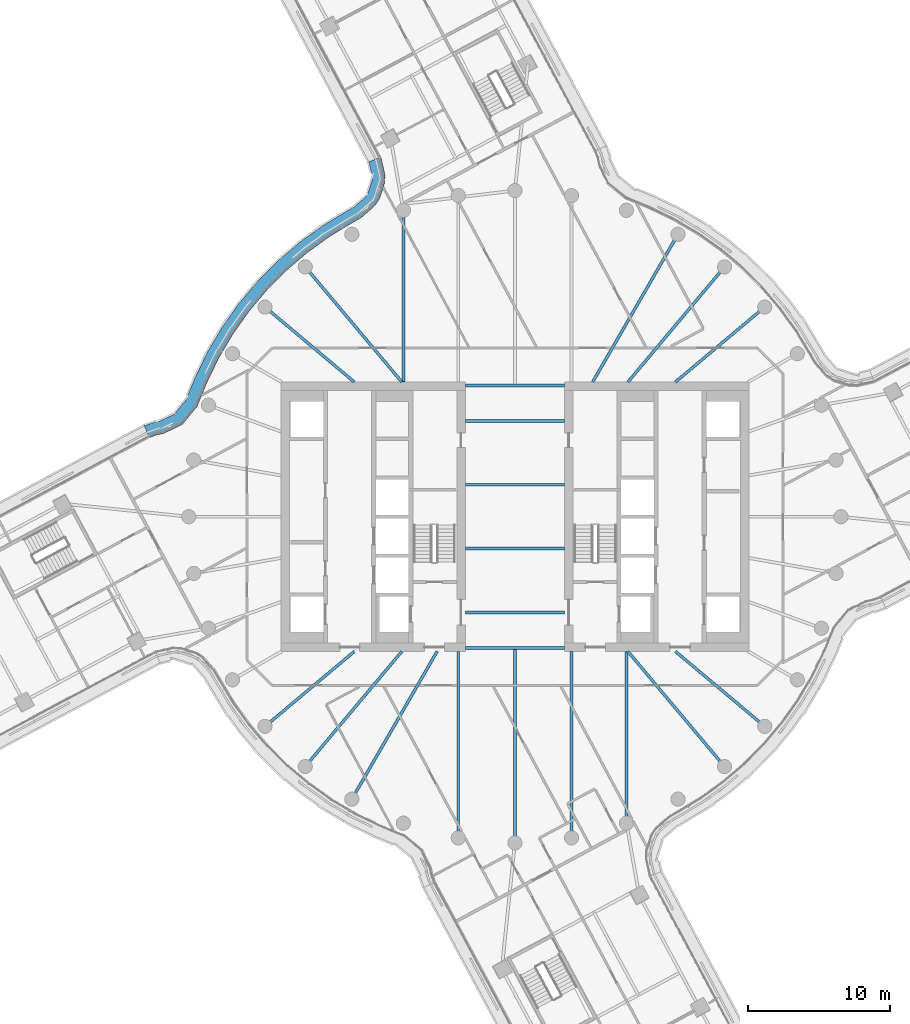
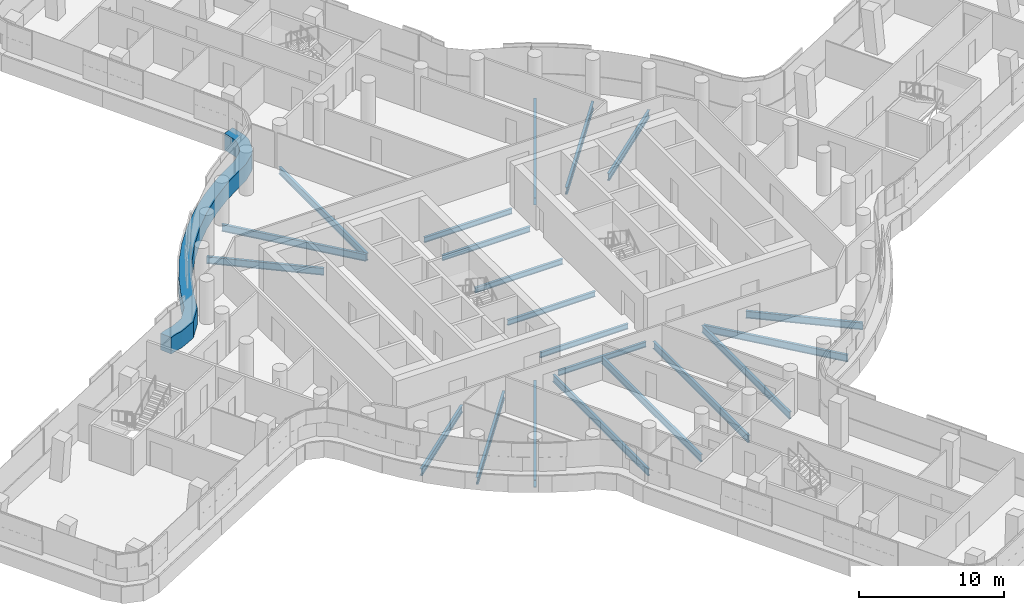
# One storey, part 8 of 33: 21 beams, 1 member, 1 element without a shape of its own.
"""IFC4 building model written with IfcOpenShell, lengths in metres."""

from ifc_helpers import new_model, si_unit, direction, frame, origin, origin_2d, place, context, subcontext, project, spatial, polyline, i_section, outline, extrude, material, layer, layer_set, material_profile, profile_set, type_object, element, aggregate, save


model = new_model("IFC4")

# Units and contexts
model_context = context("Model", 3, precision=1e-05, world=origin(), true_north=direction((0.0, 1.0)))
body_context = subcontext(model_context, "Body", "Model", "MODEL_VIEW")
ifc_project = project(units=[si_unit("LENGTHUNIT", "METRE"), si_unit("AREAUNIT", "SQUARE_METRE"), si_unit("VOLUMEUNIT", "CUBIC_METRE"), si_unit("PLANEANGLEUNIT", "RADIAN"), si_unit("MASSUNIT", "GRAM", prefix="KILO")], contexts=[model_context])

# Site, building, storey
site_placement = place(None, origin())
site = spatial("IfcSite", under=ifc_project, at=site_placement, CompositionType="ELEMENT")
building_placement = place(site_placement, origin())
building = spatial("IfcBuilding", under=site, at=building_placement, Name="Tamarind Cross Interchange Tower", CompositionType="ELEMENT")
storey_placement = place(building_placement, frame((0.0, 0.0, 136.75)))
storey = spatial("IfcBuildingStorey", under=building, at=storey_placement, Name="L33", CompositionType="ELEMENT", Elevation=136.75)

# Beams
ifc_material_1 = material(Name="Steel Q355B", Category="steel")
ifc_material_profile_1 = material_profile(ifc_material_1, i_section(OverallWidth=0.198974609375, OverallDepth=0.446044921875, WebThickness=0.008056640625, FlangeThickness=0.011962890625, FilletRadius=0.012939453125, at=origin_2d()), Name="HN 446x199x8x12")
ifc_profile_set_1 = profile_set([ifc_material_profile_1], Name="Steel Q355B")
beam_type_1 = type_object("IfcBeamType", Name="Composite beam HN 446x199x8x12 Q355B", PredefinedType="BEAM", material=ifc_profile_set_1)
for number, where, z_axis, x_axis, name in (
    (1, (-3.5, -2.25, -0.363037109375), (1.0, 0.0, 0.0), (0.0, 1.0, 0.0), "Beam G-2.25"),
    (2, (-3.5, -6.75, -0.363037109375), (1.0, 0.0, 0.0), (0.0, 1.0, 0.0), "Beam G-6.75"),
    (3, (-3.5, -9.25, -0.363037109375), (1.0, 0.0, 0.0), (0.0, 1.0, 0.0), "Beam G-9.25"),
    (4, (-3.5, 2.25, -0.363037109375), (1.0, 0.0, 0.0), (0.0, 1.0, 0.0), "Beam G2.25"),
    (5, (-3.5, 6.75, -0.363037109375), (1.0, 0.0, 0.0), (0.0, 1.0, 0.0), "Beam G6.75"),
    (6, (-3.5, 9.25, -0.363037109375), (1.0, 0.0, 0.0), (0.0, 1.0, 0.0), "Beam G9.25"),
):
    element("IfcBeam", number, at=place(storey_placement, frame(where, z_axis=z_axis, x_axis=x_axis)), inside=storey, type_object=beam_type_1, Name=name, PredefinedType="BEAM", context=body_context, shape_type="SweptSolid", body=[
        extrude(i_section(OverallWidth=0.198974609375, OverallDepth=0.446044921875, WebThickness=0.008056640625, FlangeThickness=0.011962890625, FilletRadius=0.012939453125, at=origin_2d()), origin(), (0.0, 0.0, 1.0), 7.0),
    ])
ifc_material_profile_2 = material_profile(ifc_material_1, i_section(OverallWidth=0.198974609375, OverallDepth=0.595947265625, WebThickness=0.010009765625, FlangeThickness=0.014892578125, FilletRadius=0.012939453125, at=origin_2d()), Name="HN 596x199x10x15")
ifc_profile_set_2 = profile_set([ifc_material_profile_2], Name="Steel Q355B")
beam_type_2 = type_object("IfcBeamType", Name="Composite beam HN 596x199x10x15 Q355B", PredefinedType="BEAM", material=ifc_profile_set_2)
beam_1_placement = place(storey_placement, frame((17.619140625, 14.7841796875, -0.43798828125), z_axis=(-0.766040580814, -0.642792212574, 0.0), x_axis=(0.642792212574, -0.766040580814, 0.0)))
element("IfcBeam", 7, at=beam_1_placement, inside=storey, type_object=beam_type_2, Name="Beam HH04", PredefinedType="BEAM", context=body_context, shape_type="SweptSolid", body=[
    extrude(i_section(OverallWidth=0.198974609375, OverallDepth=0.595947265625, WebThickness=0.010009765625, FlangeThickness=0.014892578125, FilletRadius=0.012939453125, at=origin_2d()), origin(), (0.0, 0.0, 1.0), 8.220703125),
])
beam_2_placement = place(storey_placement, frame((14.7841796875, 17.619140625, -0.43798828125), z_axis=(-0.642786293979, -0.766045547127, 0.0), x_axis=(0.766045547127, -0.642786293979, 0.0)))
element("IfcBeam", 8, at=beam_2_placement, inside=storey, type_object=beam_type_2, Name="Beam HH05", PredefinedType="BEAM", context=body_context, shape_type="SweptSolid", body=[
    extrude(i_section(OverallWidth=0.198974609375, OverallDepth=0.595947265625, WebThickness=0.010009765625, FlangeThickness=0.014892578125, FilletRadius=0.012939453125, at=origin_2d()), origin(), (0.0, 0.0, 1.0), 10.598876953125),
])
beam_3_placement = place(storey_placement, frame((11.5, 19.918701171875, -0.43798828125), z_axis=(-0.499993565836, -0.866029118519, 0.0), x_axis=(0.866029118519, -0.499993565836, 0.0)))
element("IfcBeam", 9, at=beam_3_placement, inside=storey, type_object=beam_type_2, Name="Beam HH06", PredefinedType="BEAM", context=body_context, shape_type="SweptSolid", body=[
    extrude(i_section(OverallWidth=0.198974609375, OverallDepth=0.595947265625, WebThickness=0.010009765625, FlangeThickness=0.014892578125, FilletRadius=0.012939453125, at=origin_2d()), origin(), (0.0, 0.0, 1.0), 12.030517578125),
])
beam_4_placement = place(storey_placement, frame((-7.866455078125, 21.613037109375, -0.43798828125), z_axis=(0.0, -1.0, 0.0), x_axis=(1.0, 0.0, 0.0)))
element("IfcBeam", 10, at=beam_4_placement, inside=storey, type_object=beam_type_2, Name="Beam HH11", PredefinedType="BEAM", context=body_context, shape_type="SweptSolid", body=[
    extrude(i_section(OverallWidth=0.198974609375, OverallDepth=0.595947265625, WebThickness=0.010009765625, FlangeThickness=0.014892578125, FilletRadius=0.012939453125, at=origin_2d()), origin(), (0.0, 0.0, 1.0), 12.113037109375),
])
beam_5_placement = place(storey_placement, frame((-14.7841796875, 17.619140625, -0.43798828125), z_axis=(0.642786293979, -0.766045547127, 0.0), x_axis=(0.766045547127, 0.642786293979, 0.0)))
element("IfcBeam", 11, at=beam_5_placement, inside=storey, type_object=beam_type_2, Name="Beam HH13", PredefinedType="BEAM", context=body_context, shape_type="SweptSolid", body=[
    extrude(i_section(OverallWidth=0.198974609375, OverallDepth=0.595947265625, WebThickness=0.010009765625, FlangeThickness=0.014892578125, FilletRadius=0.012939453125, at=origin_2d()), origin(), (0.0, 0.0, 1.0), 10.598876953125),
])
for number, where, z_axis, x_axis, name in (
    (12, (-17.619140625, 14.7841796875, -0.43798828125), (0.766040580814, -0.642792212574, 0.0), (0.642792212574, 0.766040580814, 0.0), "Beam HH14"),
    (13, (-17.619140625, -14.7841796875, -0.43798828125), (0.766040580814, 0.642792212574, 0.0), (-0.642792212574, 0.766040580814, 0.0), "Beam HH22"),
):
    element("IfcBeam", number, at=place(storey_placement, frame(where, z_axis=z_axis, x_axis=x_axis)), inside=storey, type_object=beam_type_2, Name=name, PredefinedType="BEAM", context=body_context, shape_type="SweptSolid", body=[
        extrude(i_section(OverallWidth=0.198974609375, OverallDepth=0.595947265625, WebThickness=0.010009765625, FlangeThickness=0.014892578125, FilletRadius=0.012939453125, at=origin_2d()), origin(), (0.0, 0.0, 1.0), 8.220703125),
    ])
beam_6_placement = place(storey_placement, frame((-14.7841796875, -17.619140625, -0.43798828125), z_axis=(0.642786293979, 0.766045547127, 0.0), x_axis=(-0.766045547127, 0.642786293979, 0.0)))
element("IfcBeam", 14, at=beam_6_placement, inside=storey, type_object=beam_type_2, Name="Beam HH23", PredefinedType="BEAM", context=body_context, shape_type="SweptSolid", body=[
    extrude(i_section(OverallWidth=0.198974609375, OverallDepth=0.595947265625, WebThickness=0.010009765625, FlangeThickness=0.014892578125, FilletRadius=0.012939453125, at=origin_2d()), origin(), (0.0, 0.0, 1.0), 10.598876953125),
])
beam_7_placement = place(storey_placement, frame((-11.5, -19.918701171875, -0.43798828125), z_axis=(0.499993565836, 0.866029118519, 0.0), x_axis=(-0.866029118519, 0.499993565836, 0.0)))
element("IfcBeam", 15, at=beam_7_placement, inside=storey, type_object=beam_type_2, Name="Beam HH24", PredefinedType="BEAM", context=body_context, shape_type="SweptSolid", body=[
    extrude(i_section(OverallWidth=0.198974609375, OverallDepth=0.595947265625, WebThickness=0.010009765625, FlangeThickness=0.014892578125, FilletRadius=0.012939453125, at=origin_2d()), origin(), (0.0, 0.0, 1.0), 12.030517578125),
])
beam_8_placement = place(storey_placement, frame((-3.993896484375, -22.650634765625, -0.43798828125), z_axis=(0.0, 1.0, 0.0), x_axis=(-1.0, 0.0, 0.0)))
element("IfcBeam", 16, at=beam_8_placement, inside=storey, type_object=beam_type_2, Name="Beam HH26", PredefinedType="BEAM", context=body_context, shape_type="SweptSolid", body=[
    extrude(i_section(OverallWidth=0.198974609375, OverallDepth=0.595947265625, WebThickness=0.010009765625, FlangeThickness=0.014892578125, FilletRadius=0.012939453125, at=origin_2d()), origin(), (0.0, 0.0, 1.0), 13.150634765625),
])
beam_9_placement = place(storey_placement, frame((0.0, -23.0, -0.43798828125), z_axis=(0.0, 1.0, 0.0), x_axis=(-1.0, 0.0, 0.0)))
element("IfcBeam", 17, at=beam_9_placement, inside=storey, type_object=beam_type_2, Name="Beam HH27", PredefinedType="BEAM", context=body_context, shape_type="SweptSolid", body=[
    extrude(i_section(OverallWidth=0.198974609375, OverallDepth=0.595947265625, WebThickness=0.010009765625, FlangeThickness=0.014892578125, FilletRadius=0.012939453125, at=origin_2d()), origin(), (0.0, 0.0, 1.0), 13.75),
])
beam_10_placement = place(storey_placement, frame((3.993896484375, -22.650634765625, -0.43798828125), z_axis=(0.0, 1.0, 0.0), x_axis=(-1.0, 0.0, 0.0)))
element("IfcBeam", 18, at=beam_10_placement, inside=storey, type_object=beam_type_2, Name="Beam HH28", PredefinedType="BEAM", context=body_context, shape_type="SweptSolid", body=[
    extrude(i_section(OverallWidth=0.198974609375, OverallDepth=0.595947265625, WebThickness=0.010009765625, FlangeThickness=0.014892578125, FilletRadius=0.012939453125, at=origin_2d()), origin(), (0.0, 0.0, 1.0), 13.150634765625),
])
beam_11_placement = place(storey_placement, frame((7.866455078125, -21.613037109375, -0.43798828125), z_axis=(0.0, 1.0, 0.0), x_axis=(-1.0, 0.0, 0.0)))
element("IfcBeam", 19, at=beam_11_placement, inside=storey, type_object=beam_type_2, Name="Beam HH29", PredefinedType="BEAM", context=body_context, shape_type="SweptSolid", body=[
    extrude(i_section(OverallWidth=0.198974609375, OverallDepth=0.595947265625, WebThickness=0.010009765625, FlangeThickness=0.014892578125, FilletRadius=0.012939453125, at=origin_2d()), origin(), (0.0, 0.0, 1.0), 12.113037109375),
])
beam_12_placement = place(storey_placement, frame((14.7841796875, -17.619140625, -0.43798828125), z_axis=(-0.642786293979, 0.766045547127, 0.0), x_axis=(-0.766045547127, -0.642786293979, 0.0)))
element("IfcBeam", 20, at=beam_12_placement, inside=storey, type_object=beam_type_2, Name="Beam HH31", PredefinedType="BEAM", context=body_context, shape_type="SweptSolid", body=[
    extrude(i_section(OverallWidth=0.198974609375, OverallDepth=0.595947265625, WebThickness=0.010009765625, FlangeThickness=0.014892578125, FilletRadius=0.012939453125, at=origin_2d()), origin(), (0.0, 0.0, 1.0), 10.598876953125),
])
beam_13_placement = place(storey_placement, frame((17.619140625, -14.7841796875, -0.43798828125), z_axis=(-0.766040580814, 0.642792212574, 0.0), x_axis=(-0.642792212574, -0.766040580814, 0.0)))
element("IfcBeam", 21, at=beam_13_placement, inside=storey, type_object=beam_type_2, Name="Beam HH32", PredefinedType="BEAM", context=body_context, shape_type="SweptSolid", body=[
    extrude(i_section(OverallWidth=0.198974609375, OverallDepth=0.595947265625, WebThickness=0.010009765625, FlangeThickness=0.014892578125, FilletRadius=0.012939453125, at=origin_2d()), origin(), (0.0, 0.0, 1.0), 8.220703125),
])

# Curtain wall, member
ifc_material_2 = material(Name="Aluminium 6063-T6", Category="aluminium")
ifc_layer = layer(ifc_material_2, 0.159912109375)
ifc_layer_set = layer_set([ifc_layer], Name="Aluminium 6063-T6")
curtain_wall_type = type_object("IfcCurtainWallType", Name="Office curtain wall, 9.0 m bays", PredefinedType="NOTDEFINED", material=ifc_layer_set)
curtain_wall_placement = place(storey_placement, origin())
curtain_wall = element("IfcCurtainWall", 22, at=curtain_wall_placement, inside=storey, type_object=curtain_wall_type, Name="CWS-L33-02", PredefinedType="NOTDEFINED")
ifc_material_3 = material(Name="Aluminium and insulated spandrel panel", Category="aluminium")
member_type = type_object("IfcMemberType", Name="Floor-edge blade transom", PredefinedType="USERDEFINED", material=ifc_material_3)
member_placement = place(storey_placement, origin())
member = element("IfcMember", 23, at=member_placement, type_object=member_type, Name="CWT-L33-02", ObjectType="TRANSOM", PredefinedType="USERDEFINED", context=body_context, shape_type="SweptSolid", body=[
    extrude(outline(polyline([(-9.446044921875, 25.3603515625), (-9.16455078125, 24.126220703125), (-9.19091796875, 23.52587890625), (-9.537841796875, 22.449462890625), (-9.8671875, 21.94677734375), (-10.80859375, 21.116455078125), (-11.358642578125, 20.79638671875), (-13.045654296875, 19.78125), (-14.634521484375, 18.636474609375), (-16.12353515625, 17.3642578125), (-17.50244140625, 15.973388671875), (-18.76171875, 14.4736328125), (-19.892822265625, 12.874755859375), (-20.88818359375, 11.188232421875), (-21.741943359375, 9.422119140625), (-22.415283203125, 7.778564453125), (-23.461181640625, 6.505615234375), (-24.732177734375, 5.890869140625), (-25.31298828125, 5.75439453125), (-25.764404296875, 5.583740234375), (-26.137939453125, 6.40478515625), (-25.575927734375, 6.6171875), (-25.03466796875, 6.744140625), (-24.031005859375, 7.229736328125), (-23.19677734375, 8.2451171875), (-22.564453125, 9.788818359375), (-21.68212890625, 11.613525390625), (-20.64892578125, 13.3642578125), (-19.474853515625, 15.023681640625), (-18.167724609375, 16.580810546875), (-16.736572265625, 18.0244140625), (-15.19091796875, 19.344970703125), (-13.54150390625, 20.533203125), (-11.817138671875, 21.57080078125), (-11.337646484375, 21.849853515625), (-10.553466796875, 22.54150390625), (-10.357177734375, 22.84130859375), (-10.084716796875, 23.6865234375), (-10.069091796875, 24.04443359375), (-10.296875, 25.04296875), (-9.446044921875, 25.3603515625)])), origin(), (0.0, 0.0, 1.0), 1.39990234375),
])
aggregate(curtain_wall, [member])

save(model, "model.ifc")
